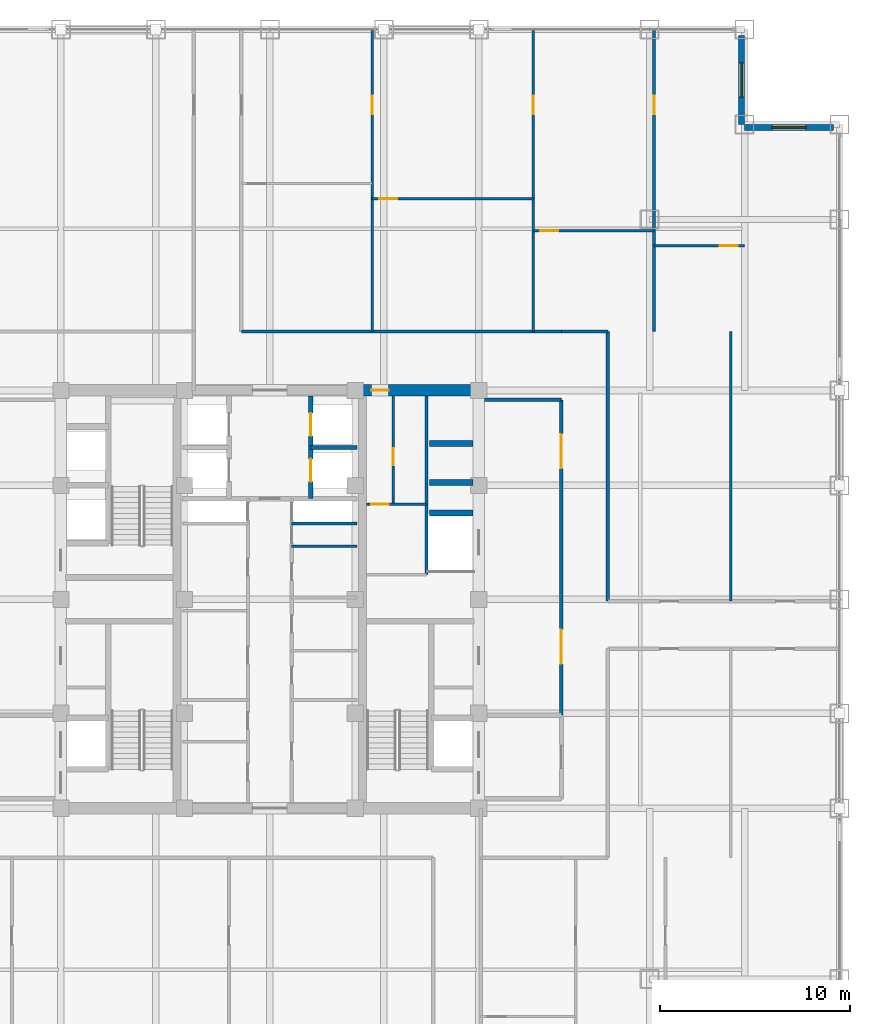
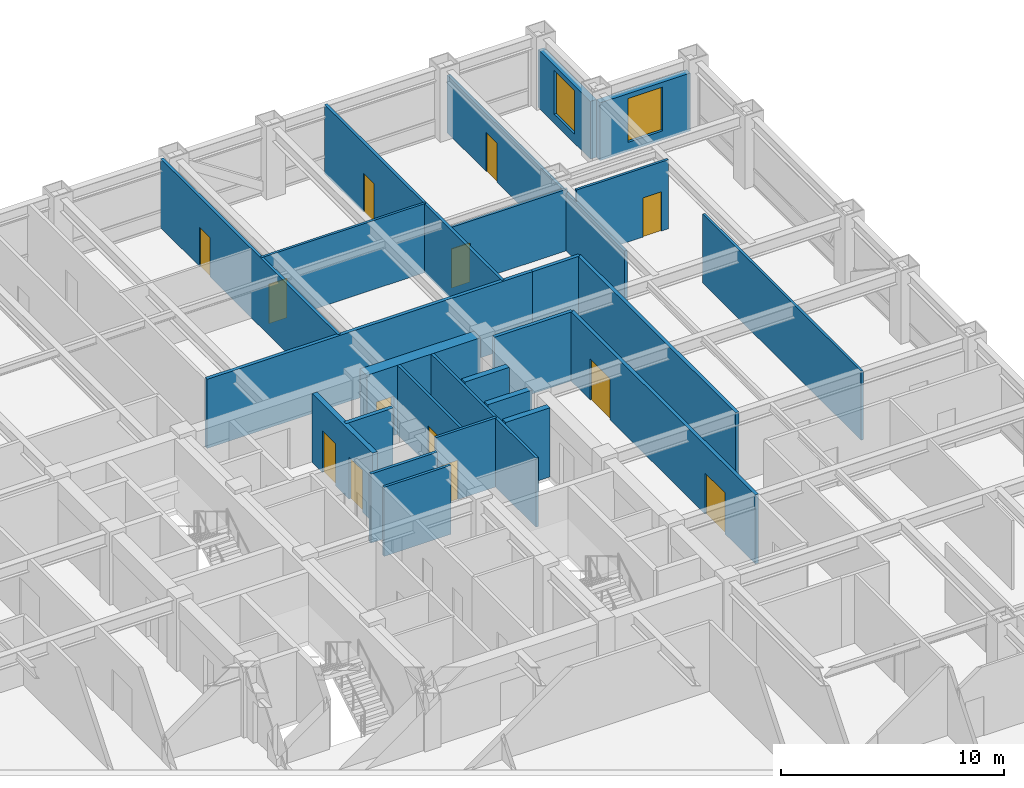
# One storey, part 23 of 25: 25 walls, 13 doors, 2 windows, 15 openings.
"""IFC4 building model written with IfcOpenShell, lengths in metres."""

from ifc_helpers import new_model, si_unit, direction, frame, frame_2d, origin, place, context, subcontext, project, spatial, rectangle, extrude, source, transform, mapped, material, layer, layer_set, type_object, element, fill, save


model = new_model("IFC4")

# Units and contexts
model_context = context("Model", 3, precision=1e-05, world=origin(), true_north=direction((0.0, 1.0)))
body_context = subcontext(model_context, "Body", "Model", "MODEL_VIEW")
ifc_project = project(units=[si_unit("LENGTHUNIT", "METRE"), si_unit("AREAUNIT", "SQUARE_METRE"), si_unit("VOLUMEUNIT", "CUBIC_METRE"), si_unit("PLANEANGLEUNIT", "RADIAN"), si_unit("MASSUNIT", "GRAM", prefix="KILO")], contexts=[model_context])

# Site, building, storey
site_placement = place(None, origin())
site = spatial("IfcSite", under=ifc_project, at=site_placement, CompositionType="ELEMENT")
building_placement = place(site_placement, origin())
building = spatial("IfcBuilding", under=site, at=building_placement, Name="Khorayat Bourse Tower", CompositionType="ELEMENT")
storey_placement = place(building_placement, frame((0.0, 0.0, 255.10009765625)))
storey = spatial("IfcBuildingStorey", under=building, at=storey_placement, Name="L60", CompositionType="ELEMENT", Elevation=255.10009765625)

# Wall, opening, door
ifc_material_1 = material(Name="Concrete C60/75", Category="concrete")
ifc_layer_1 = layer(ifc_material_1, 0.60009765625)
ifc_layer_set_1 = layer_set([ifc_layer_1], Name="Concrete C60/75")
wall_type_1 = type_object("IfcWallType", Name="WAL-CORE-600", PredefinedType="SHEAR", material=ifc_layer_set_1)
shared_shape_1 = source(origin(), body_context, "Body", "SweptSolid", [
    extrude(rectangle(XDim=5.89990234375, YDim=0.60009765625, at=frame_2d((2.949951171875, 0.0))), origin(), (0.0, 0.0, 1.0), 3.77978515625),
])
wall_1_placement = place(storey_placement, frame((4.85009765625, 11.0, 0.0), z_axis=(0.0, 0.0, 1.0), x_axis=(1.0, 0.0, 0.0)))
wall_1 = element("IfcWall", 1, at=wall_1_placement, inside=storey, type_object=wall_type_1, Name="L60 Core Shear Wall PIER-EN", PredefinedType="SHEAR", context=body_context, shape_type="MappedRepresentation", body=[
    mapped(shared_shape_1, transform((0.0, 0.0, 0.0), scale=1.0)),
])
shared_shape_2 = source(origin(), body_context, "Body", "SweptSolid", [
    extrude(rectangle(XDim=0.89990234375, YDim=2.14990234375, at=frame_2d((0.449951171875, 1.074951171875))), frame((0.0, 0.31005859375, 0.0), z_axis=(0.0, -1.0, 0.0), x_axis=(1.0, 0.0, 0.0)), (0.0, 0.0, 1.0), 0.6201171875),
])
opening_1_placement = place(wall_1_placement, frame((0.5, 0.0, 0.0)))
opening_1 = element("IfcOpeningElement", 2, at=opening_1_placement, cuts=wall_1, Name="Opening DI-06", PredefinedType="OPENING", context=body_context, shape_type="MappedRepresentation", body=[
    mapped(shared_shape_2, transform((0.0, 0.0, 0.0), scale=1.0)),
])
ifc_material_2 = material(Name="Moisture-resistant laminate washroom door")
door_type_1 = type_object("IfcDoorType", Name="DR-INT-WC-900", OperationType="NOTDEFINED", PredefinedType="DOOR", material=ifc_material_2)
shared_shape_3 = source(origin(), body_context, "Body", "SweptSolid", [
    extrude(rectangle(XDim=0.89990234375, YDim=2.14990234375, at=frame_2d((0.449951171875, 1.074951171875))), frame((0.0, 0.02490234375, 0.0), z_axis=(0.0, -1.0, 0.0), x_axis=(1.0, 0.0, 0.0)), (0.0, 0.0, 1.0), 0.050048828125),
])
door_1_placement = place(opening_1_placement, origin())
door_1 = element("IfcDoor", 3, at=door_1_placement, inside=storey, type_object=door_type_1, Name="L60 Core Washroom Lobby Door", OperationType="SINGLE_SWING_LEFT", OverallHeight=2.14990234375, OverallWidth=0.89990234375, PredefinedType="DOOR", context=body_context, shape_type="MappedRepresentation", body=[
    mapped(shared_shape_3, transform((0.0, 0.0, 0.0), scale=1.0)),
])
fill(opening_1, door_1)

# Wall, opening, window
ifc_material_3 = material(Name="Precast concrete C45/55", Category="concrete")
ifc_layer_2 = layer(ifc_material_3, 0.320068359375)
ifc_layer_set_2 = layer_set([ifc_layer_2], Name="Precast concrete C45/55")
wall_type_2 = type_object("IfcWallType", Name="WAL-EXT-STONE-320", PredefinedType="STANDARD", material=ifc_layer_set_2)
shared_shape_4 = source(origin(), body_context, "Body", "SweptSolid", [
    extrude(rectangle(XDim=4.679931640625, YDim=0.320068359375, at=frame_2d((2.33984375, 0.0))), origin(), (0.0, 0.0, 1.0), 3.163818359375),
])
wall_2_placement = place(storey_placement, frame((25.0, 24.840087890625, 0.0), z_axis=(0.0, 0.0, 1.0), x_axis=(1.0, 0.0, 0.0)))
wall_2 = element("IfcWall", 4, at=wall_2_placement, inside=storey, type_object=wall_type_2, Name="L60 Re-Entrant Notch Limestone Wall NE-H", PredefinedType="STANDARD", context=body_context, shape_type="MappedRepresentation", body=[
    mapped(shared_shape_4, transform((0.0, 0.0, 0.0), scale=1.0)),
])
shared_shape_5 = source(origin(), body_context, "Body", "SweptSolid", [
    extrude(rectangle(XDim=1.800048828125, YDim=2.39990234375, at=frame_2d((0.89990234375, 1.199951171875))), frame((0.0, 0.169921875, 0.0), z_axis=(0.0, -1.0, 0.0), x_axis=(1.0, 0.0, 0.0)), (0.0, 0.0, 1.0), 0.340087890625),
])
opening_2_placement = place(wall_2_placement, frame((1.43994140625, 0.0, 0.5)))
opening_2 = element("IfcOpeningElement", 5, at=opening_2_placement, cuts=wall_2, Name="Opening WN-04", PredefinedType="OPENING", context=body_context, shape_type="MappedRepresentation", body=[
    mapped(shared_shape_5, transform((0.0, 0.0, 0.0), scale=1.0)),
])
ifc_material_4 = material(Name="Low-E acoustic laminated double glazing", Category="glass")
window_type = type_object("IfcWindowType", Name="WIN-NOTCH-1800x2400", PartitioningType="SINGLE_PANEL", PredefinedType="WINDOW", material=ifc_material_4)
shared_shape_6 = source(origin(), body_context, "Body", "SweptSolid", [
    extrude(rectangle(XDim=1.800048828125, YDim=2.39990234375, at=frame_2d((0.89990234375, 1.199951171875))), frame((0.0, 0.030029296875, 0.0), z_axis=(0.0, -1.0, 0.0), x_axis=(1.0, 0.0, 0.0)), (0.0, 0.0, 1.0), 0.06005859375),
])
window_1_placement = place(opening_2_placement, origin())
window_1 = element("IfcWindow", 6, at=window_1_placement, inside=storey, type_object=window_type, Name="L60 Facade Window 1", OverallHeight=2.39990234375, OverallWidth=1.800048828125, PartitioningType="SINGLE_PANEL", PredefinedType="WINDOW", context=body_context, shape_type="MappedRepresentation", body=[
    mapped(shared_shape_6, transform((0.0, 0.0, 0.0), scale=1.0)),
])
fill(opening_2, window_1)

wall_3_placement = place(storey_placement, frame((24.840087890625, 25.0, 0.0), z_axis=(0.0, 0.0, 1.0), x_axis=(0.0, 1.0, 0.0)))
wall_3 = element("IfcWall", 7, at=wall_3_placement, inside=storey, type_object=wall_type_2, Name="L60 Re-Entrant Notch Limestone Wall NE-V", PredefinedType="STANDARD", context=body_context, shape_type="MappedRepresentation", body=[
    mapped(shared_shape_4, transform((0.0, 0.0, 0.0), scale=1.0)),
])
opening_3_placement = place(wall_3_placement, frame((1.43994140625, 0.0, 0.5)))
opening_3 = element("IfcOpeningElement", 8, at=opening_3_placement, cuts=wall_3, Name="Opening WN-04", PredefinedType="OPENING", context=body_context, shape_type="MappedRepresentation", body=[
    mapped(shared_shape_5, transform((0.0, 0.0, 0.0), scale=1.0)),
])
window_2_placement = place(opening_3_placement, origin())
window_2 = element("IfcWindow", 9, at=window_2_placement, inside=storey, type_object=window_type, Name="L60 Facade Window 1", OverallHeight=2.39990234375, OverallWidth=1.800048828125, PartitioningType="SINGLE_PANEL", PredefinedType="WINDOW", context=body_context, shape_type="MappedRepresentation", body=[
    mapped(shared_shape_6, transform((0.0, 0.0, 0.0), scale=1.0)),
])
fill(opening_3, window_2)

# Walls
ifc_material_5 = material(Name="Concrete C50/60", Category="concrete")
ifc_layer_3 = layer(ifc_material_5, 0.300048828125)
ifc_layer_set_3 = layer_set([ifc_layer_3], Name="Concrete C50/60")
wall_type_3 = type_object("IfcWallType", Name="WAL-SHAFT-300", PredefinedType="SHEAR", material=ifc_layer_set_3)
shared_shape_7 = source(origin(), body_context, "Body", "SweptSolid", [
    extrude(rectangle(XDim=2.300048828125, YDim=0.300048828125, at=frame_2d((1.14990234375, 0.0))), origin(), (0.0, 0.0, 1.0), 3.77978515625),
])
for number, where, z_axis, x_axis, name in (
    (10, (8.39990234375, 4.550048828125, 0.0), (0.0, 0.0, 1.0), (1.0, 0.0, 0.0), "L60 Partition WAL-L60-EPIER-SVLN"),
    (11, (8.39990234375, 6.14990234375, 0.0), (0.0, 0.0, 1.0), (1.0, 0.0, 0.0), "L60 Partition WAL-L60-EPIER-H3S"),
    (12, (8.39990234375, 8.199951171875, 0.0), (0.0, 0.0, 1.0), (1.0, 0.0, 0.0), "L60 Partition WAL-L60-EPIER-H34"),
):
    element("IfcWall", number, at=place(storey_placement, frame(where, z_axis=z_axis, x_axis=x_axis)), inside=storey, type_object=wall_type_3, Name=name, PredefinedType="SHEAR", context=body_context, shape_type="MappedRepresentation", body=[
        mapped(shared_shape_7, transform((0.0, 0.0, 0.0), scale=1.0)),
    ])
ifc_material_6 = material(Name="Moisture-resistant masonry partition", Category="masonry")
ifc_layer_4 = layer(ifc_material_6, 0.139892578125)
ifc_layer_set_4 = layer_set([ifc_layer_4], Name="Moisture-resistant masonry partition")
wall_type_4 = type_object("IfcWallType", Name="WAL-PART-WET-140", PredefinedType="PARTITIONING", material=ifc_layer_set_4)
shared_shape_8 = source(origin(), body_context, "Body", "SweptSolid", [
    extrude(rectangle(XDim=9.39990234375, YDim=0.139892578125, at=frame_2d((4.699951171875, 0.0))), origin(), (0.0, 0.0, 1.0), 3.77978515625),
])
wall_4_placement = place(storey_placement, frame((8.25, 1.300048828125, 0.0), z_axis=(0.0, 0.0, 1.0), x_axis=(0.0, 1.0, 0.0)))
element("IfcWall", 13, at=wall_4_placement, inside=storey, type_object=wall_type_4, Name="L60 Partition WAL-L60-ECORE-E", PredefinedType="PARTITIONING", context=body_context, shape_type="MappedRepresentation", body=[
    mapped(shared_shape_8, transform((0.0, 0.0, 0.0), scale=1.0)),
])

# Wall, opening, door
shared_shape_9 = source(origin(), body_context, "Body", "SweptSolid", [
    extrude(rectangle(XDim=3.14990234375, YDim=0.139892578125, at=frame_2d((1.574951171875, 0.0))), origin(), (0.0, 0.0, 1.0), 3.77978515625),
])
wall_5_placement = place(storey_placement, frame((5.10009765625, 5.0, 0.0), z_axis=(0.0, 0.0, 1.0), x_axis=(1.0, 0.0, 0.0)))
wall_5 = element("IfcWall", 14, at=wall_5_placement, inside=storey, type_object=wall_type_4, Name="L60 Partition WAL-L60-ECW-BOT", PredefinedType="PARTITIONING", context=body_context, shape_type="MappedRepresentation", body=[
    mapped(shared_shape_9, transform((0.0, 0.0, 0.0), scale=1.0)),
])
shared_shape_10 = source(origin(), body_context, "Body", "SweptSolid", [
    extrude(rectangle(XDim=0.89990234375, YDim=2.14990234375, at=frame_2d((0.449951171875, 1.074951171875))), frame((0.0, 0.079833984375, 0.0), z_axis=(0.0, -1.0, 0.0), x_axis=(1.0, 0.0, 0.0)), (0.0, 0.0, 1.0), 0.159912109375),
])
opening_4_placement = place(wall_5_placement, frame((0.25, 0.0, 0.0)))
opening_4 = element("IfcOpeningElement", 15, at=opening_4_placement, cuts=wall_5, Name="Opening DI-06", PredefinedType="OPENING", context=body_context, shape_type="MappedRepresentation", body=[
    mapped(shared_shape_10, transform((0.0, 0.0, 0.0), scale=1.0)),
])
door_2_placement = place(opening_4_placement, origin())
door_2 = element("IfcDoor", 16, at=door_2_placement, inside=storey, type_object=door_type_1, Name="L60 Shared Washroom Door", OperationType="SINGLE_SWING_LEFT", OverallHeight=2.14990234375, OverallWidth=0.89990234375, PredefinedType="DOOR", context=body_context, shape_type="MappedRepresentation", body=[
    mapped(shared_shape_3, transform((0.0, 0.0, 0.0), scale=1.0)),
])
fill(opening_4, door_2)

# Wall
ifc_material_7 = material(Name="Gypsum plasterboard acoustic stud wall")
ifc_layer_5 = layer(ifc_material_7, 0.179931640625)
ifc_layer_set_5 = layer_set([ifc_layer_5], Name="Gypsum plasterboard acoustic stud wall")
wall_type_5 = type_object("IfcWallType", Name="WAL-PART-CORR-180", PredefinedType="PARTITIONING", material=ifc_layer_set_5)
shared_shape_11 = source(origin(), body_context, "Body", "SweptSolid", [
    extrude(rectangle(XDim=4.050048828125, YDim=0.179931640625, at=frame_2d((2.02490234375, 0.0))), origin(), (0.0, 0.0, 1.0), 3.77978515625),
])
wall_6_placement = place(storey_placement, frame((11.300048828125, 10.5, 0.0), z_axis=(0.0, 0.0, 1.0), x_axis=(1.0, 0.0, 0.0)))
element("IfcWall", 17, at=wall_6_placement, inside=storey, type_object=wall_type_5, Name="L60 Partition WAL-L60-ELOB-N", PredefinedType="PARTITIONING", context=body_context, shape_type="MappedRepresentation", body=[
    mapped(shared_shape_11, transform((0.0, 0.0, 0.0), scale=1.0)),
])

# Wall, openings, doors
shared_shape_12 = source(origin(), body_context, "Body", "SweptSolid", [
    extrude(rectangle(XDim=16.60009765625, YDim=0.179931640625, at=frame_2d((8.300048828125, 0.0))), origin(), (0.0, 0.0, 1.0), 3.77978515625),
])
wall_7_placement = place(storey_placement, frame((15.35009765625, -6.10009765625, 0.0), z_axis=(0.0, 0.0, 1.0), x_axis=(0.0, 1.0, 0.0)))
wall_7 = element("IfcWall", 18, at=wall_7_placement, inside=storey, type_object=wall_type_5, Name="L60 Partition WAL-L60-ELOB-E", PredefinedType="PARTITIONING", context=body_context, shape_type="MappedRepresentation", body=[
    mapped(shared_shape_12, transform((0.0, 0.0, 0.0), scale=1.0)),
])
shared_shape_13 = source(origin(), body_context, "Body", "SweptSolid", [
    extrude(rectangle(XDim=1.800048828125, YDim=2.25, at=frame_2d((0.89990234375, 1.125))), frame((0.0, 0.099853515625, 0.0), z_axis=(0.0, -1.0, 0.0), x_axis=(1.0, 0.0, 0.0)), (0.0, 0.0, 1.0), 0.199951171875),
])
opening_5_placement = place(wall_7_placement, frame((2.699951171875, 0.0, 0.0)))
opening_5 = element("IfcOpeningElement", 19, at=opening_5_placement, cuts=wall_7, Name="Opening DI-03", PredefinedType="OPENING", context=body_context, shape_type="MappedRepresentation", body=[
    mapped(shared_shape_13, transform((0.0, 0.0, 0.0), scale=1.0)),
])
opening_6_placement = place(wall_7_placement, frame((13.0, 0.0, 0.0)))
opening_6 = element("IfcOpeningElement", 20, at=opening_6_placement, cuts=wall_7, Name="Opening DI-03", PredefinedType="OPENING", context=body_context, shape_type="MappedRepresentation", body=[
    mapped(shared_shape_13, transform((0.0, 0.0, 0.0), scale=1.0)),
])
ifc_material_8 = material(Name="Fire-rated hardwood vision-panel double leaf", Category="wood")
door_type_2 = type_object("IfcDoorType", Name="DR-INT-CORR-1800", OperationType="NOTDEFINED", PredefinedType="DOOR", material=ifc_material_8)
shared_shape_14 = source(origin(), body_context, "Body", "SweptSolid", [
    extrude(rectangle(XDim=1.800048828125, YDim=2.25, at=frame_2d((0.89990234375, 1.125))), frame((0.0, 0.02490234375, 0.0), z_axis=(0.0, -1.0, 0.0), x_axis=(1.0, 0.0, 0.0)), (0.0, 0.0, 1.0), 0.050048828125),
])
door_3_placement = place(opening_5_placement, origin())
door_3 = element("IfcDoor", 21, at=door_3_placement, inside=storey, type_object=door_type_2, Name="L60 East Core Lobby South Door", OperationType="SINGLE_SWING_RIGHT", OverallHeight=2.25, OverallWidth=1.800048828125, PredefinedType="DOOR", context=body_context, shape_type="MappedRepresentation", body=[
    mapped(shared_shape_14, transform((0.0, 0.0, 0.0), scale=1.0)),
])
fill(opening_5, door_3)
door_4_placement = place(opening_6_placement, origin())
door_4 = element("IfcDoor", 22, at=door_4_placement, inside=storey, type_object=door_type_2, Name="L60 East Core Lobby North Door", OperationType="SINGLE_SWING_LEFT", OverallHeight=2.25, OverallWidth=1.800048828125, PredefinedType="DOOR", context=body_context, shape_type="MappedRepresentation", body=[
    mapped(shared_shape_14, transform((0.0, 0.0, 0.0), scale=1.0)),
])
fill(opening_6, door_4)

# Walls
ifc_material_9 = material(Name="Gypsum plasterboard twin-frame partition")
ifc_layer_6 = layer(ifc_material_9, 0.14990234375)
ifc_layer_set_6 = layer_set([ifc_layer_6], Name="Gypsum plasterboard twin-frame partition")
wall_type_6 = type_object("IfcWallType", Name="WAL-PART-SUITE-150", PredefinedType="PARTITIONING", material=ifc_layer_set_6)
shared_shape_15 = source(origin(), body_context, "Body", "SweptSolid", [
    extrude(rectangle(XDim=3.4501953125, YDim=0.14990234375, at=frame_2d((1.72509765625, 0.0))), origin(), (0.0, 0.0, 1.0), 3.77978515625),
])
wall_8_placement = place(storey_placement, frame((1.14990234375, 4.0, 0.0), z_axis=(0.0, 0.0, 1.0), x_axis=(1.0, 0.0, 0.0)))
element("IfcWall", 23, at=wall_8_placement, inside=storey, type_object=wall_type_6, Name="L60 Partition WAL-L60-CRSE-S", PredefinedType="PARTITIONING", context=body_context, shape_type="MappedRepresentation", body=[
    mapped(shared_shape_15, transform((0.0, 0.0, 0.0), scale=1.0)),
])
shared_shape_16 = source(origin(), body_context, "Body", "SweptSolid", [
    extrude(rectangle(XDim=3.4501953125, YDim=0.139892578125, at=frame_2d((1.72509765625, 0.0))), origin(), (0.0, 0.0, 1.0), 3.77978515625),
])
wall_9_placement = place(storey_placement, frame((1.14990234375, 2.800048828125, 0.0), z_axis=(0.0, 0.0, 1.0), x_axis=(1.0, 0.0, 0.0)))
element("IfcWall", 24, at=wall_9_placement, inside=storey, type_object=wall_type_4, Name="L60 Partition WAL-L60-CME-D3", PredefinedType="PARTITIONING", context=body_context, shape_type="MappedRepresentation", body=[
    mapped(shared_shape_16, transform((0.0, 0.0, 0.0), scale=1.0)),
])

# Wall, openings, doors
shared_shape_17 = source(origin(), body_context, "Body", "SweptSolid", [
    extrude(rectangle(XDim=5.39990234375, YDim=0.25, at=frame_2d((2.699951171875, 0.0))), origin(), (0.0, 0.0, 1.0), 3.77978515625),
])
wall_10_placement = place(storey_placement, frame((2.14990234375, 5.300048828125, 0.0), z_axis=(0.0, 0.0, 1.0), x_axis=(0.0, 1.0, 0.0)))
wall_10 = element("IfcWall", 25, at=wall_10_placement, inside=storey, type_object=wall_type_3, Name="L60 Partition WAL-L60-B2-E", PredefinedType="SHEAR", context=body_context, shape_type="MappedRepresentation", body=[
    mapped(shared_shape_17, transform((0.0, 0.0, 0.0), scale=1.0)),
])
shared_shape_18 = source(origin(), body_context, "Body", "SweptSolid", [
    extrude(rectangle(XDim=1.199951171875, YDim=2.300048828125, at=frame_2d((0.60009765625, 1.14990234375))), frame((0.0, 0.135009765625, 0.0), z_axis=(0.0, -1.0, 0.0), x_axis=(1.0, 0.0, 0.0)), (0.0, 0.0, 1.0), 0.27001953125),
])
opening_7_placement = place(wall_10_placement, frame((3.300048828125, 0.0, 0.0)))
opening_7 = element("IfcOpeningElement", 26, at=opening_7_placement, cuts=wall_10, Name="Opening LD-01", PredefinedType="OPENING", context=body_context, shape_type="MappedRepresentation", body=[
    mapped(shared_shape_18, transform((0.0, 0.0, 0.0), scale=1.0)),
])
opening_8_placement = place(wall_10_placement, frame((0.89990234375, 0.0, 0.0)))
opening_8 = element("IfcOpeningElement", 27, at=opening_8_placement, cuts=wall_10, Name="Opening LD-01", PredefinedType="OPENING", context=body_context, shape_type="MappedRepresentation", body=[
    mapped(shared_shape_18, transform((0.0, 0.0, 0.0), scale=1.0)),
])
ifc_material_10 = material(Name="Brushed bronze stainless-steel sliding door", Category="steel")
door_type_3 = type_object("IfcDoorType", Name="DR-LIFT-PASS-1200", OperationType="NOTDEFINED", PredefinedType="DOOR", material=ifc_material_10)
shared_shape_19 = source(origin(), body_context, "Body", "SweptSolid", [
    extrude(rectangle(XDim=1.199951171875, YDim=2.300048828125, at=frame_2d((0.60009765625, 1.14990234375))), frame((0.0, 0.02490234375, 0.0), z_axis=(0.0, -1.0, 0.0), x_axis=(1.0, 0.0, 0.0)), (0.0, 0.0, 1.0), 0.050048828125),
])
door_5_placement = place(opening_7_placement, origin())
door_5 = element("IfcDoor", 28, at=door_5_placement, inside=storey, type_object=door_type_3, Name="L60 Lift PL-M2 Sliding Landing Door", OperationType="SLIDING_TO_LEFT", OverallHeight=2.300048828125, OverallWidth=1.199951171875, PredefinedType="DOOR", context=body_context, shape_type="MappedRepresentation", body=[
    mapped(shared_shape_19, transform((0.0, 0.0, 0.0), scale=1.0)),
])
fill(opening_7, door_5)
door_6_placement = place(opening_8_placement, origin())
door_6 = element("IfcDoor", 29, at=door_6_placement, inside=storey, type_object=door_type_3, Name="L60 Lift PL-M4 Sliding Landing Door", OperationType="SLIDING_TO_LEFT", OverallHeight=2.300048828125, OverallWidth=1.199951171875, PredefinedType="DOOR", context=body_context, shape_type="MappedRepresentation", body=[
    mapped(shared_shape_19, transform((0.0, 0.0, 0.0), scale=1.0)),
])
fill(opening_8, door_6)

# Walls
shared_shape_20 = source(origin(), body_context, "Body", "SweptSolid", [
    extrude(rectangle(XDim=2.4501953125, YDim=0.199951171875, at=frame_2d((1.22509765625, 0.0))), origin(), (0.0, 0.0, 1.0), 3.77978515625),
])
wall_11_placement = place(storey_placement, frame((2.14990234375, 8.0, 0.0), z_axis=(0.0, 0.0, 1.0), x_axis=(1.0, 0.0, 0.0)))
element("IfcWall", 30, at=wall_11_placement, inside=storey, type_object=wall_type_3, Name="L60 Partition WAL-L60-B2-ME", PredefinedType="SHEAR", context=body_context, shape_type="MappedRepresentation", body=[
    mapped(shared_shape_20, transform((0.0, 0.0, 0.0), scale=1.0)),
])
shared_shape_21 = source(origin(), body_context, "Body", "SweptSolid", [
    extrude(rectangle(XDim=2.449951171875, YDim=0.179931640625, at=frame_2d((1.22509765625, 0.0))), origin(), (0.0, 0.0, 1.0), 3.77978515625),
])
wall_12_placement = place(storey_placement, frame((15.35009765625, 14.10009765625, 0.0), z_axis=(0.0, 0.0, 1.0), x_axis=(1.0, 0.0, 0.0)))
element("IfcWall", 31, at=wall_12_placement, inside=storey, type_object=wall_type_5, Name="L60 Partition WAL-L60-C2-EN", PredefinedType="PARTITIONING", context=body_context, shape_type="MappedRepresentation", body=[
    mapped(shared_shape_21, transform((0.0, 0.0, 0.0), scale=1.0)),
])

# Wall, opening, door
shared_shape_22 = source(origin(), body_context, "Body", "SweptSolid", [
    extrude(rectangle(XDim=5.699951171875, YDim=0.139892578125, at=frame_2d((2.85009765625, 0.0))), origin(), (0.0, 0.0, 1.0), 3.77978515625),
])
wall_13_placement = place(storey_placement, frame((6.5, 5.0, 0.0), z_axis=(0.0, 0.0, 1.0), x_axis=(0.0, 1.0, 0.0)))
wall_13 = element("IfcWall", 32, at=wall_13_placement, inside=storey, type_object=wall_type_4, Name="L60 Partition WAL-L60-ECW-MID", PredefinedType="PARTITIONING", context=body_context, shape_type="MappedRepresentation", body=[
    mapped(shared_shape_22, transform((0.0, 0.0, 0.0), scale=1.0)),
])
opening_9_placement = place(wall_13_placement, frame((2.050048828125, 0.0, 0.0)))
opening_9 = element("IfcOpeningElement", 33, at=opening_9_placement, cuts=wall_13, Name="Opening DI-06", PredefinedType="OPENING", context=body_context, shape_type="MappedRepresentation", body=[
    mapped(shared_shape_10, transform((0.0, 0.0, 0.0), scale=1.0)),
])
door_7_placement = place(opening_9_placement, origin())
door_7 = element("IfcDoor", 34, at=door_7_placement, inside=storey, type_object=door_type_1, Name="L60 Accessible WC Door", OperationType="SINGLE_SWING_RIGHT", OverallHeight=2.14990234375, OverallWidth=0.89990234375, PredefinedType="DOOR", context=body_context, shape_type="MappedRepresentation", body=[
    mapped(shared_shape_3, transform((0.0, 0.0, 0.0), scale=1.0)),
])
fill(opening_9, door_7)

shared_shape_23 = source(origin(), body_context, "Body", "SweptSolid", [
    extrude(rectangle(XDim=15.89990234375, YDim=0.14990234375, at=frame_2d((7.949951171875, 0.0))), origin(), (0.0, 0.0, 1.0), 3.77978515625),
])
wall_14_placement = place(storey_placement, frame((5.389892578125, 14.10009765625, 0.0), z_axis=(0.0, 0.0, 1.0), x_axis=(0.0, 1.0, 0.0)))
wall_14 = element("IfcWall", 35, at=wall_14_placement, inside=storey, type_object=wall_type_6, Name="L60 Partition WAL-L60-QNEDV-1", PredefinedType="PARTITIONING", context=body_context, shape_type="MappedRepresentation", body=[
    mapped(shared_shape_23, transform((0.0, 0.0, 0.0), scale=1.0)),
])
shared_shape_24 = source(origin(), body_context, "Body", "SweptSolid", [
    extrude(rectangle(XDim=0.949951171875, YDim=2.14990234375, at=frame_2d((0.47509765625, 1.074951171875))), frame((0.0, 0.0849609375, 0.0), z_axis=(0.0, -1.0, 0.0), x_axis=(1.0, 0.0, 0.0)), (0.0, 0.0, 1.0), 0.169921875),
])
opening_10_placement = place(wall_14_placement, frame((11.449951171875, 0.0, 0.0)))
opening_10 = element("IfcOpeningElement", 36, at=opening_10_placement, cuts=wall_14, Name="Opening DI-05", PredefinedType="OPENING", context=body_context, shape_type="MappedRepresentation", body=[
    mapped(shared_shape_24, transform((0.0, 0.0, 0.0), scale=1.0)),
])
ifc_material_11 = material(Name="Acoustic oak veneer office door")
door_type_4 = type_object("IfcDoorType", Name="DR-INT-OFFICE-950", OperationType="NOTDEFINED", PredefinedType="DOOR", material=ifc_material_11)
shared_shape_25 = source(origin(), body_context, "Body", "SweptSolid", [
    extrude(rectangle(XDim=0.949951171875, YDim=2.14990234375, at=frame_2d((0.47509765625, 1.074951171875))), frame((0.0, 0.02490234375, 0.0), z_axis=(0.0, -1.0, 0.0), x_axis=(1.0, 0.0, 0.0)), (0.0, 0.0, 1.0), 0.050048828125),
])
door_8_placement = place(opening_10_placement, origin())
door_8 = element("IfcDoor", 37, at=door_8_placement, inside=storey, type_object=door_type_4, Name="L60 North-East Suite Link 1", OperationType="SINGLE_SWING_RIGHT", OverallHeight=2.14990234375, OverallWidth=0.949951171875, PredefinedType="DOOR", context=body_context, shape_type="MappedRepresentation", body=[
    mapped(shared_shape_25, transform((0.0, 0.0, 0.0), scale=1.0)),
])
fill(opening_10, door_8)

wall_15_placement = place(storey_placement, frame((13.8701171875, 14.10009765625, 0.0), z_axis=(0.0, 0.0, 1.0), x_axis=(0.0, 1.0, 0.0)))
wall_15 = element("IfcWall", 38, at=wall_15_placement, inside=storey, type_object=wall_type_6, Name="L60 Partition WAL-L60-QNEDV-2", PredefinedType="PARTITIONING", context=body_context, shape_type="MappedRepresentation", body=[
    mapped(shared_shape_23, transform((0.0, 0.0, 0.0), scale=1.0)),
])
opening_11_placement = place(wall_15_placement, frame((11.449951171875, 0.0, 0.0)))
opening_11 = element("IfcOpeningElement", 39, at=opening_11_placement, cuts=wall_15, Name="Opening DI-05", PredefinedType="OPENING", context=body_context, shape_type="MappedRepresentation", body=[
    mapped(shared_shape_24, transform((0.0, 0.0, 0.0), scale=1.0)),
])
door_9_placement = place(opening_11_placement, origin())
door_9 = element("IfcDoor", 40, at=door_9_placement, inside=storey, type_object=door_type_4, Name="L60 North-East Suite Link 2", OperationType="SINGLE_SWING_LEFT", OverallHeight=2.14990234375, OverallWidth=0.949951171875, PredefinedType="DOOR", context=body_context, shape_type="MappedRepresentation", body=[
    mapped(shared_shape_25, transform((0.0, 0.0, 0.0), scale=1.0)),
])
fill(opening_11, door_9)

shared_shape_26 = source(origin(), body_context, "Body", "SweptSolid", [
    extrude(rectangle(XDim=15.89990234375, YDim=0.14990234375, at=frame_2d((7.949951171875, 0.0))), origin(), (0.0, 0.0, 1.0), 3.163818359375),
])
wall_16_placement = place(storey_placement, frame((20.22998046875, 14.10009765625, 0.0), z_axis=(0.0, 0.0, 1.0), x_axis=(0.0, 1.0, 0.0)))
wall_16 = element("IfcWall", 41, at=wall_16_placement, inside=storey, type_object=wall_type_6, Name="L60 Partition WAL-L60-QNEDV-3", PredefinedType="PARTITIONING", context=body_context, shape_type="MappedRepresentation", body=[
    mapped(shared_shape_26, transform((0.0, 0.0, 0.0), scale=1.0)),
])
opening_12_placement = place(wall_16_placement, frame((11.449951171875, 0.0, 0.0)))
opening_12 = element("IfcOpeningElement", 42, at=opening_12_placement, cuts=wall_16, Name="Opening DI-05", PredefinedType="OPENING", context=body_context, shape_type="MappedRepresentation", body=[
    mapped(shared_shape_24, transform((0.0, 0.0, 0.0), scale=1.0)),
])
door_10_placement = place(opening_12_placement, origin())
door_10 = element("IfcDoor", 43, at=door_10_placement, inside=storey, type_object=door_type_4, Name="L60 North-East Suite Link 3", OperationType="SINGLE_SWING_RIGHT", OverallHeight=2.14990234375, OverallWidth=0.949951171875, PredefinedType="DOOR", context=body_context, shape_type="MappedRepresentation", body=[
    mapped(shared_shape_25, transform((0.0, 0.0, 0.0), scale=1.0)),
])
fill(opening_12, door_10)

# Wall
shared_shape_27 = source(origin(), body_context, "Body", "SweptSolid", [
    extrude(rectangle(XDim=16.85009765625, YDim=0.179931640625, at=frame_2d((8.425048828125, 0.0))), origin(), (0.0, 0.0, 1.0), 3.77978515625),
])
wall_17_placement = place(storey_placement, frame((-1.5, 14.10009765625, 0.0), z_axis=(0.0, 0.0, 1.0), x_axis=(1.0, 0.0, 0.0)))
element("IfcWall", 44, at=wall_17_placement, inside=storey, type_object=wall_type_5, Name="L60 Partition WAL-L60-QNE-HC", PredefinedType="PARTITIONING", context=body_context, shape_type="MappedRepresentation", body=[
    mapped(shared_shape_27, transform((0.0, 0.0, 0.0), scale=1.0)),
])

# Wall, opening, door
ifc_material_12 = material(Name="Gypsum plasterboard partition")
ifc_layer_7 = layer(ifc_material_12, 0.125)
ifc_layer_set_7 = layer_set([ifc_layer_7], Name="Gypsum plasterboard partition")
wall_type_7 = type_object("IfcWallType", Name="WAL-PART-ROOM-125", PredefinedType="PARTITIONING", material=ifc_layer_set_7)
shared_shape_28 = source(origin(), body_context, "Body", "SweptSolid", [
    extrude(rectangle(XDim=8.480224609375, YDim=0.125, at=frame_2d((4.240234375, 0.0))), origin(), (0.0, 0.0, 1.0), 3.77978515625),
])
wall_18_placement = place(storey_placement, frame((5.389892578125, 21.095947265625, 0.0), z_axis=(0.0, 0.0, 1.0), x_axis=(1.0, 0.0, 0.0)))
wall_18 = element("IfcWall", 45, at=wall_18_placement, inside=storey, type_object=wall_type_7, Name="L60 Partition WAL-L60-QNEDP-2", PredefinedType="PARTITIONING", context=body_context, shape_type="MappedRepresentation", body=[
    mapped(shared_shape_28, transform((0.0, 0.0, 0.0), scale=1.0)),
])
shared_shape_29 = source(origin(), body_context, "Body", "SweptSolid", [
    extrude(rectangle(XDim=0.949951171875, YDim=2.14990234375, at=frame_2d((0.47509765625, 1.074951171875))), frame((0.0, 0.072509765625, 0.0), z_axis=(0.0, -1.0, 0.0), x_axis=(1.0, 0.0, 0.0)), (0.0, 0.0, 1.0), 0.14501953125),
])
opening_13_placement = place(wall_18_placement, frame((0.375, 0.0, 0.0)))
opening_13 = element("IfcOpeningElement", 46, at=opening_13_placement, cuts=wall_18, Name="Opening DI-05", PredefinedType="OPENING", context=body_context, shape_type="MappedRepresentation", body=[
    mapped(shared_shape_29, transform((0.0, 0.0, 0.0), scale=1.0)),
])
door_11_placement = place(opening_13_placement, origin())
door_11 = element("IfcDoor", 47, at=door_11_placement, inside=storey, type_object=door_type_4, Name="L60 North-East Market Risk Analytics Workspace 2B Door", OperationType="SINGLE_SWING_LEFT", OverallHeight=2.14990234375, OverallWidth=0.949951171875, PredefinedType="DOOR", context=body_context, shape_type="MappedRepresentation", body=[
    mapped(shared_shape_25, transform((0.0, 0.0, 0.0), scale=1.0)),
])
fill(opening_13, door_11)

shared_shape_30 = source(origin(), body_context, "Body", "SweptSolid", [
    extrude(rectangle(XDim=6.35986328125, YDim=0.125, at=frame_2d((3.179931640625, 0.0))), origin(), (0.0, 0.0, 1.0), 3.36279296875),
])
wall_19_placement = place(storey_placement, frame((13.8701171875, 19.40087890625, 0.0), z_axis=(0.0, 0.0, 1.0), x_axis=(1.0, 0.0, 0.0)))
wall_19 = element("IfcWall", 48, at=wall_19_placement, inside=storey, type_object=wall_type_7, Name="L60 Partition WAL-L60-QNEDP-3", PredefinedType="PARTITIONING", context=body_context, shape_type="MappedRepresentation", body=[
    mapped(shared_shape_30, transform((0.0, 0.0, 0.0), scale=1.0)),
])
opening_14_placement = place(wall_19_placement, frame((0.375, 0.0, 0.0)))
opening_14 = element("IfcOpeningElement", 49, at=opening_14_placement, cuts=wall_19, Name="Opening DI-05", PredefinedType="OPENING", context=body_context, shape_type="MappedRepresentation", body=[
    mapped(shared_shape_29, transform((0.0, 0.0, 0.0), scale=1.0)),
])
door_12_placement = place(opening_14_placement, origin())
door_12 = element("IfcDoor", 50, at=door_12_placement, inside=storey, type_object=door_type_4, Name="L60 North-East Executive Boardroom 3B Door", OperationType="SINGLE_SWING_RIGHT", OverallHeight=2.14990234375, OverallWidth=0.949951171875, PredefinedType="DOOR", context=body_context, shape_type="MappedRepresentation", body=[
    mapped(shared_shape_25, transform((0.0, 0.0, 0.0), scale=1.0)),
])
fill(opening_14, door_12)

shared_shape_31 = source(origin(), body_context, "Body", "SweptSolid", [
    extrude(rectangle(XDim=4.77001953125, YDim=0.125, at=frame_2d((2.385009765625, 0.0))), origin(), (0.0, 0.0, 1.0), 3.77978515625),
])
wall_20_placement = place(storey_placement, frame((20.22998046875, 18.60595703125, 0.0), z_axis=(0.0, 0.0, 1.0), x_axis=(1.0, 0.0, 0.0)))
wall_20 = element("IfcWall", 51, at=wall_20_placement, inside=storey, type_object=wall_type_7, Name="L60 Partition WAL-L60-QNEDP-4", PredefinedType="PARTITIONING", context=body_context, shape_type="MappedRepresentation", body=[
    mapped(shared_shape_31, transform((0.0, 0.0, 0.0), scale=1.0)),
])
opening_15_placement = place(wall_20_placement, frame((3.445068359375, 0.0, 0.0)))
opening_15 = element("IfcOpeningElement", 52, at=opening_15_placement, cuts=wall_20, Name="Opening DI-05", PredefinedType="OPENING", context=body_context, shape_type="MappedRepresentation", body=[
    mapped(shared_shape_29, transform((0.0, 0.0, 0.0), scale=1.0)),
])
door_13_placement = place(opening_15_placement, origin())
door_13 = element("IfcDoor", 53, at=door_13_placement, inside=storey, type_object=door_type_4, Name="L60 North-East Market Reference Library 4B Door", OperationType="SINGLE_SWING_LEFT", OverallHeight=2.14990234375, OverallWidth=0.949951171875, PredefinedType="DOOR", context=body_context, shape_type="MappedRepresentation", body=[
    mapped(shared_shape_25, transform((0.0, 0.0, 0.0), scale=1.0)),
])
fill(opening_15, door_13)

# Walls
shared_shape_32 = source(origin(), body_context, "Body", "SweptSolid", [
    extrude(rectangle(XDim=14.2001953125, YDim=0.125, at=frame_2d((7.10009765625, 0.0))), origin(), (0.0, 0.0, 1.0), 3.77978515625),
])
wall_21_placement = place(storey_placement, frame((24.26611328125, -0.10009765625, 0.0), z_axis=(0.0, 0.0, 1.0), x_axis=(0.0, 1.0, 0.0)))
element("IfcWall", 54, at=wall_21_placement, inside=storey, type_object=wall_type_7, Name="L60 Partition WAL-L60-EN-DV", PredefinedType="PARTITIONING", context=body_context, shape_type="MappedRepresentation", body=[
    mapped(shared_shape_32, transform((0.0, 0.0, 0.0), scale=1.0)),
])
shared_shape_33 = source(origin(), body_context, "Body", "SweptSolid", [
    extrude(rectangle(XDim=14.2001953125, YDim=0.179931640625, at=frame_2d((7.10009765625, 0.0))), origin(), (0.0, 0.0, 1.0), 3.77978515625),
])
wall_22_placement = place(storey_placement, frame((17.800048828125, -0.10009765625, 0.0), z_axis=(0.0, 0.0, 1.0), x_axis=(0.0, 1.0, 0.0)))
element("IfcWall", 55, at=wall_22_placement, inside=storey, type_object=wall_type_5, Name="L60 Partition WAL-L60-EN-IN", PredefinedType="PARTITIONING", context=body_context, shape_type="MappedRepresentation", body=[
    mapped(shared_shape_33, transform((0.0, 0.0, 0.0), scale=1.0)),
])

save(model, "model.ifc")
